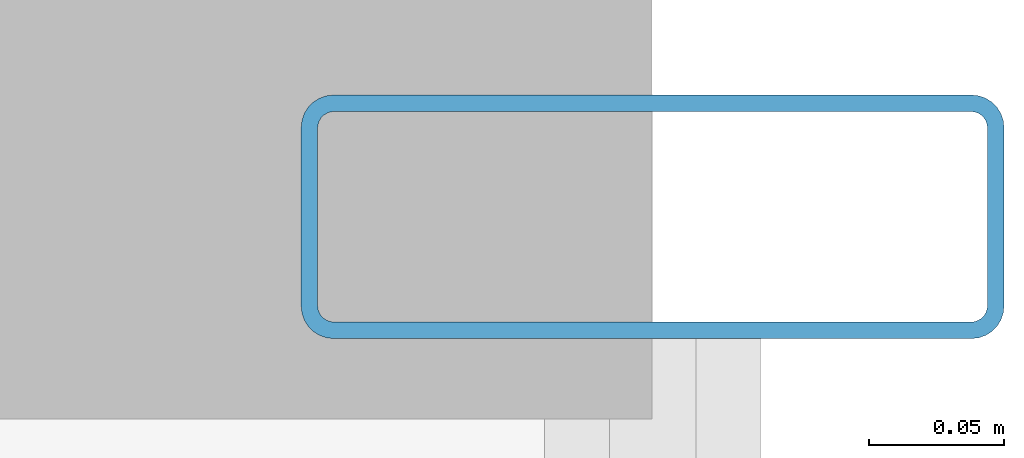
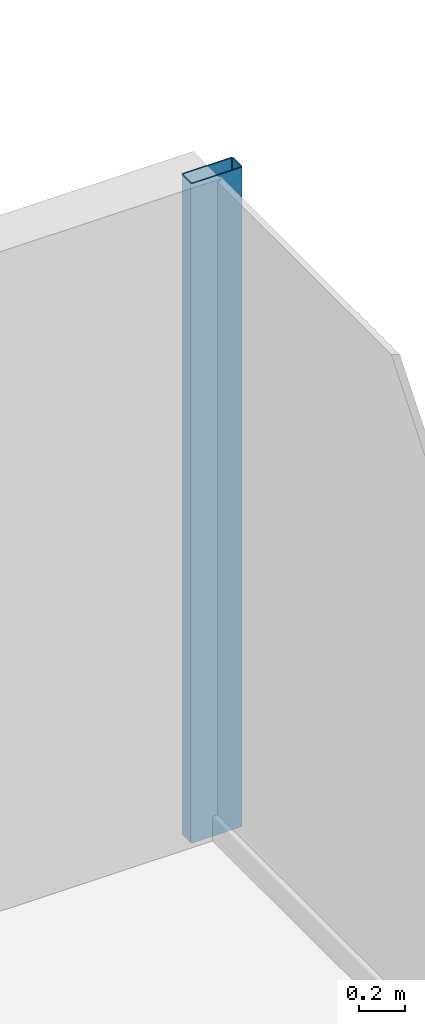
# One storey, part 18 of 26: 1 member, 1 element without a shape of its own.
"""IFC4 building model written with IfcOpenShell, lengths in metres."""

from ifc_helpers import new_model, si_unit, direction, frame, origin, origin_2d, place, context, subcontext, project, spatial, hollow_rectangle, extrude, source, transform, mapped, material, layer, layer_set, material_profile, profile_set, type_object, element, aggregate, save


model = new_model("IFC4")

# Units and contexts
model_context = context("Model", 3, precision=1e-05, world=origin(), true_north=direction((0.0, 1.0)))
body_context = subcontext(model_context, "Body", "Model", "MODEL_VIEW")
ifc_project = project(units=[si_unit("LENGTHUNIT", "METRE"), si_unit("AREAUNIT", "SQUARE_METRE"), si_unit("VOLUMEUNIT", "CUBIC_METRE"), si_unit("PLANEANGLEUNIT", "RADIAN"), si_unit("MASSUNIT", "GRAM", prefix="KILO")], contexts=[model_context])

# Site, building, storey
site_placement = place(None, origin())
site = spatial("IfcSite", under=ifc_project, at=site_placement, CompositionType="ELEMENT")
building_placement = place(site_placement, origin())
building = spatial("IfcBuilding", under=site, at=building_placement, Name="Nefas-Gora Pilgrimage Tower", CompositionType="ELEMENT")
storey_placement = place(building_placement, frame((0.0, 0.0, 82.39990234375)))
storey = spatial("IfcBuildingStorey", under=building, at=storey_placement, Name="L19", CompositionType="ELEMENT", Elevation=82.39990234375)

# Curtain wall, member
ifc_material_1 = material(Name="Dark ceramic-fritted solar-control aluminium-glass curtain wall", Category="aluminium")
ifc_layer = layer(ifc_material_1, 0.219970703125)
ifc_layer_set = layer_set([ifc_layer], Name="Dark ceramic-fritted solar-control aluminium-glass curtain wall")
curtain_wall_type = type_object("IfcCurtainWallType", Name="CW-SYS-2", PredefinedType="NOTDEFINED", material=ifc_layer_set)
curtain_wall_placement = place(storey_placement, origin())
curtain_wall = element("IfcCurtainWall", 1, at=curtain_wall_placement, inside=storey, type_object=curtain_wall_type, Name="L19 Unitised Curtain Wall CW2", PredefinedType="NOTDEFINED")
ifc_material_2 = material(Name="Anodised architectural aluminium", Category="aluminium")
ifc_material_profile = material_profile(ifc_material_2, hollow_rectangle(XDim=0.090087890625, YDim=0.260009765625, WallThickness=0.006103515625, InnerFilletRadius=0.006103515625, OuterFilletRadius=0.011962890625, at=origin_2d()), Name="ALU MULLION 90x260")
ifc_profile_set = profile_set([ifc_material_profile], Name="Anodised architectural aluminium")
member_type = type_object("IfcMemberType", Name="CWM-MUL-2", PredefinedType="MULLION", material=ifc_profile_set)
shared_shape = source(origin(), body_context, "Body", "SweptSolid", [
    extrude(hollow_rectangle(XDim=0.090087890625, YDim=0.260009765625, WallThickness=0.006103515625, InnerFilletRadius=0.006103515625, OuterFilletRadius=0.011962890625, at=origin_2d()), origin(), (0.0, 0.0, 1.0), 3.5),
])
member_placement = place(storey_placement, frame((34.27001953125, 17.574951171875, 0.0), z_axis=(0.0, 0.0, 1.0), x_axis=(0.0, 1.0, 0.0)))
member = element("IfcMember", 2, at=member_placement, type_object=member_type, Name="CW2 Mullion 2", PredefinedType="MULLION", context=body_context, shape_type="MappedRepresentation", body=[
    mapped(shared_shape, transform((0.0, 0.0, 0.0), x_axis=(1.0, 0.0, 0.0), y_axis=(0.0, 1.0, 0.0), z_axis=(0.0, 0.0, 1.0), scale=1.0)),
])
aggregate(curtain_wall, [member])

save(model, "model.ifc")
